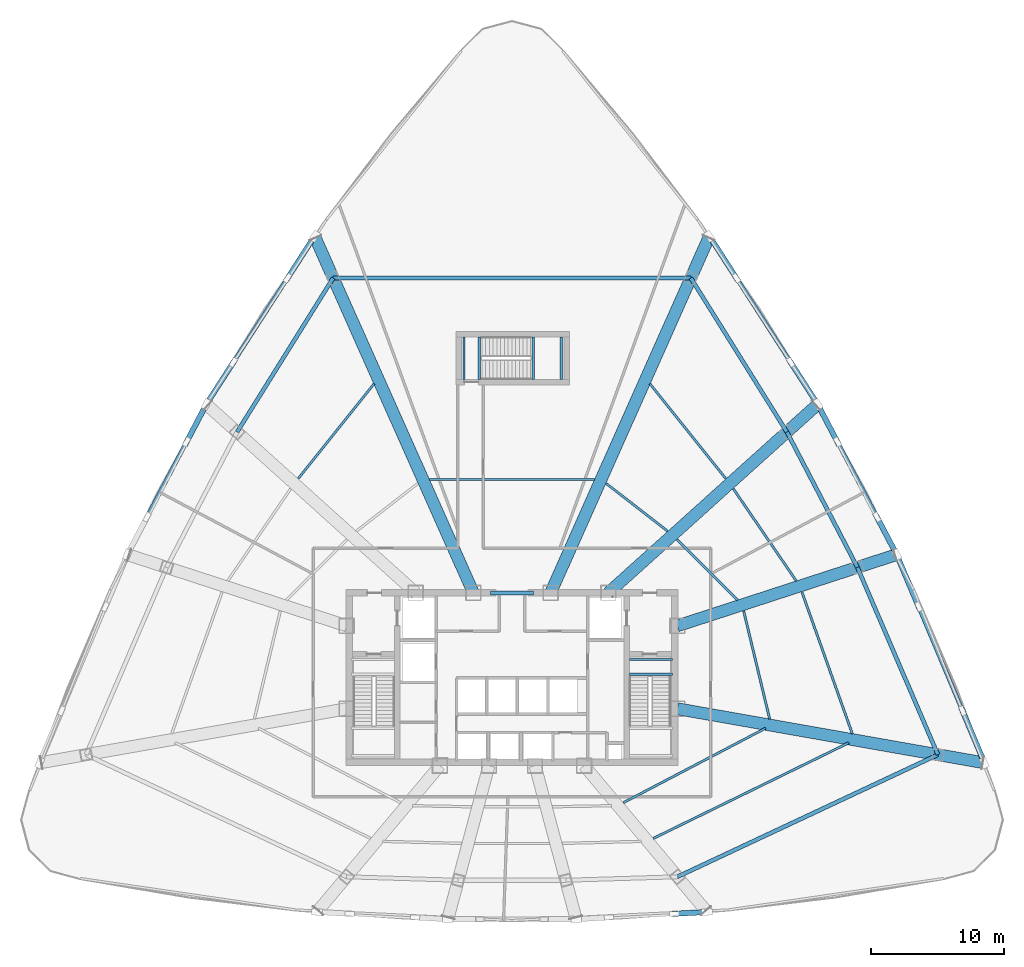
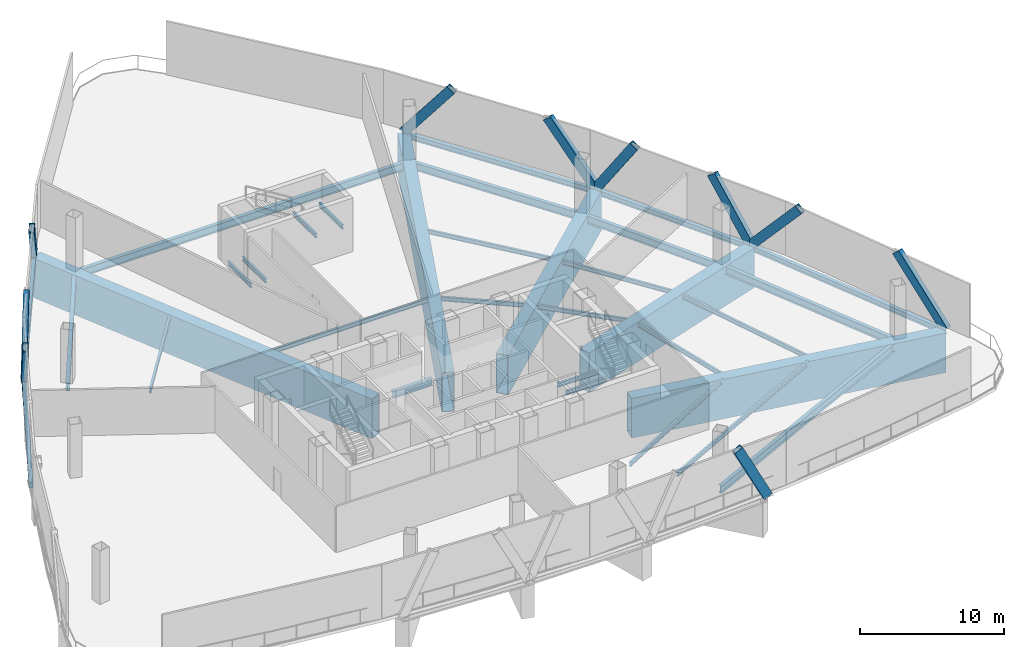
# One storey, part 2 of 14: 33 beams, 10 members.
"""IFC4 building model written with IfcOpenShell, lengths in metres."""

import ifcopenshell
import ifcopenshell.guid

model = None  # the IFC model being written
_history = None  # IfcOwnerHistory: only IFC2X3 demands one
_inside = {}  # id of a spatial element -> (the spatial element, [elements in it])
_under = {}  # id of a project, library or spatial element -> (it, [spatial elements below it])
_declared = {}  # id of a project -> (the project, [libraries it declares])
_typed = {}  # id of a type object -> (the type object, [elements of that type])
_made_of = {}  # id of a material, layer set ... -> (it, [elements and type objects made of it])


def new_model(schema):
    """Start an empty IFC model of exactly this schema.

    Asked for "IFC4X3", IfcOpenShell would pick the latest addendum, in which some entities
    have other attributes; the version numbers below select the first issue.
    IFC2X3 requires an IfcOwnerHistory on every rooted entity: one is made here for all.
    """
    global model, _history
    if schema == "IFC4X3":
        model = ifcopenshell.file(schema_version=(4, 3, 0, 0))
    else:
        model = ifcopenshell.file(schema=schema)
    _inside.clear()
    _under.clear()
    _declared.clear()
    _typed.clear()
    _made_of.clear()
    _history = None
    if model.schema == "IFC2X3":
        org = make("IfcOrganization", Name="unknown")
        user = make(
            "IfcPersonAndOrganization",
            ThePerson=make("IfcPerson", FamilyName="unknown"),
            TheOrganization=org,
        )
        app = make(
            "IfcApplication",
            ApplicationDeveloper=org,
            Version="unknown",
            ApplicationFullName="unknown",
            ApplicationIdentifier="unknown",
        )
        _history = make(
            "IfcOwnerHistory",
            OwningUser=user,
            OwningApplication=app,
            ChangeAction="ADDED",
            CreationDate=0,
        )
    return model


def make(cls, **values):
    """One entity of the class cls with the attributes given. An attribute that is None is left unset."""
    return model.create_entity(
        cls, **{name: value for name, value in values.items() if value is not None}
    )


def rooted(cls, **values):
    """An entity with a GlobalId (a new one), such as an element, a storey or a relation."""
    return make(cls, GlobalId=ifcopenshell.guid.new(), OwnerHistory=_history, **values)


def si_unit(unit_type, name, prefix=None):
    """IfcSIUnit, for example si_unit("LENGTHUNIT", "METRE", prefix="MILLI")."""
    return make("IfcSIUnit", UnitType=unit_type, Prefix=prefix, Name=name)


def assignment(units):
    """IfcUnitAssignment: the units of a project."""
    return None if units is None else make("IfcUnitAssignment", Units=units)


def point(xyz):
    """IfcCartesianPoint."""
    return None if xyz is None else make("IfcCartesianPoint", Coordinates=xyz)


def direction(xyz):
    """IfcDirection."""
    return None if xyz is None else make("IfcDirection", DirectionRatios=xyz)


def frame(location, z_axis=None, x_axis=None):
    """IfcAxis2Placement3D, a coordinate frame: its origin and axes. An axis left out is left unset."""
    return make(
        "IfcAxis2Placement3D",
        Location=point(location),
        Axis=direction(z_axis),
        RefDirection=direction(x_axis),
    )


def frame_2d(location, x_axis=None):
    """IfcAxis2Placement2D, a coordinate frame in the plane: its origin and x axis."""
    return make(
        "IfcAxis2Placement2D", Location=point(location), RefDirection=direction(x_axis)
    )


def origin():
    """The frame at (0, 0, 0) with its axes left unset."""
    return frame((0.0, 0.0, 0.0))


def origin_2d():
    """The frame at (0, 0) in the plane with its x axis left unset."""
    return frame_2d((0.0, 0.0))


def place(relative_to, where):
    """IfcLocalPlacement: puts the frame where relative to a parent placement (None: the world)."""
    return make(
        "IfcLocalPlacement", PlacementRelTo=relative_to, RelativePlacement=where
    )


def context(
    kind, dimensions, precision=None, world=None, true_north=None, identifier=None
):
    """IfcGeometricRepresentationContext, for example the 3D "Model" context."""
    return make(
        "IfcGeometricRepresentationContext",
        ContextIdentifier=identifier,
        ContextType=kind,
        CoordinateSpaceDimension=dimensions,
        Precision=precision,
        WorldCoordinateSystem=world,
        TrueNorth=true_north,
    )


def subcontext(parent, identifier, kind, view, scale=None):
    """IfcGeometricRepresentationSubContext, for example "Body" below "Model"."""
    return make(
        "IfcGeometricRepresentationSubContext",
        ContextIdentifier=identifier,
        ContextType=kind,
        ParentContext=parent,
        TargetScale=scale,
        TargetView=view,
    )


def project(units=None, contexts=None):
    """IfcProject with its units and contexts."""
    return rooted(
        "IfcProject",
        Name="project",
        RepresentationContexts=contexts,
        UnitsInContext=assignment(units),
    )


def spatial(cls, under=None, at=None, **own):
    """A site, building, storey or space (cls), placed at a placement, below another one or the project."""
    s = rooted(cls, ObjectPlacement=at, **own)
    if under is not None:
        _under.setdefault(under.id(), (under, []))[1].append(s)
    return s


def profile(cls, at=None, kind="AREA", **sizes):
    """A parametric profile (cls). Its sizes go by their IFC names, for example OverallWidth=200.0."""
    return make(cls, ProfileType=kind, Position=at, **sizes)


def hollow_rectangle(**sizes):
    """IfcRectangleHollowProfileDef."""
    return profile("IfcRectangleHollowProfileDef", **sizes)


def i_section(**sizes):
    """IfcIShapeProfileDef."""
    return profile("IfcIShapeProfileDef", **sizes)


def extrude(swept, where, along, depth):
    """IfcExtrudedAreaSolid: the profile swept, set in the frame where, extruded along a direction by depth."""
    return make(
        "IfcExtrudedAreaSolid",
        SweptArea=swept,
        Position=where,
        ExtrudedDirection=direction(along),
        Depth=depth,
    )


def shape(context_of_items, identifier, shape_type, items):
    """IfcShapeRepresentation: the items that make up one representation, for example the "Body"."""
    return make(
        "IfcShapeRepresentation",
        ContextOfItems=context_of_items,
        RepresentationIdentifier=identifier,
        RepresentationType=shape_type,
        Items=items,
    )


def source(mapping_origin, context_of_items, identifier, shape_type, items):
    """IfcRepresentationMap: a shape defined once, which mapped items show again and again."""
    return make(
        "IfcRepresentationMap",
        MappingOrigin=mapping_origin,
        MappedRepresentation=shape(context_of_items, identifier, shape_type, items),
    )


def transform(
    local_origin,
    x_axis=None,
    y_axis=None,
    z_axis=None,
    scale=None,
    scale2=None,
    scale3=None,
    uniform=True,
):
    """IfcCartesianTransformationOperator3D, or its non-uniform kind. x_axis, y_axis, z_axis: its Axis1, 2, 3."""
    if uniform:
        return make(
            "IfcCartesianTransformationOperator3D",
            Axis1=direction(x_axis),
            Axis2=direction(y_axis),
            LocalOrigin=point(local_origin),
            Scale=scale,
            Axis3=direction(z_axis),
        )
    return make(
        "IfcCartesianTransformationOperator3DnonUniform",
        Axis1=direction(x_axis),
        Axis2=direction(y_axis),
        LocalOrigin=point(local_origin),
        Scale=scale,
        Axis3=direction(z_axis),
        Scale2=scale2,
        Scale3=scale3,
    )


def mapped(mapping_source, mapping_target):
    """IfcMappedItem: shows the shape of a source again, moved by a transform."""
    return make(
        "IfcMappedItem", MappingSource=mapping_source, MappingTarget=mapping_target
    )


def material(Name=None, Category=None):
    """IfcMaterial."""
    return make("IfcMaterial", Name=Name, Category=Category)


def material_profile(
    of_material, cross_section, Name=None, Category=None, Priority=None
):
    """IfcMaterialProfile: a cross section and its material."""
    return make(
        "IfcMaterialProfile",
        Name=Name,
        Material=of_material,
        Profile=cross_section,
        Priority=Priority,
        Category=Category,
    )


def profile_set(profiles, Name=None, composite=None):
    """IfcMaterialProfileSet."""
    return make(
        "IfcMaterialProfileSet",
        Name=Name,
        MaterialProfiles=profiles,
        CompositeProfile=composite,
    )


def made_of(thing, what):
    """Note that an element or type object is made of a material, layer set ...; save() writes the relation."""
    if what is not None:
        _made_of.setdefault(what.id(), (what, []))[1].append(thing)
    return thing


def type_object(cls, material=None, **own):
    """A type object (cls), such as IfcWallType, which elements share."""
    return made_of(rooted(cls, **own), material)


def element(
    cls,
    number,
    at=None,
    inside=None,
    cuts=None,
    type_object=None,
    material=None,
    context=None,
    identifier="Body",
    shape_type=None,
    held_by="IfcProductDefinitionShape",
    body=None,
    shapes=None,
    **own,
):
    """One element of the class cls, such as IfcWall. Its Tag is "e" and its number.

    at: its placement. inside: the storey or other place that contains it. cuts: it is an
    opening in that element (IfcRelVoidsElement). A single representation is given by context,
    identifier, shape_type and body (its items); several are given by shapes. held_by: the class
    of the entity that holds the representations. save() writes the other relations.
    """
    e = rooted(cls, Tag="e%d" % number, ObjectPlacement=at, **own)
    if body is not None:
        shapes = [shape(context, identifier, shape_type, body)]
    if shapes is not None:
        e.Representation = make(held_by, Representations=shapes)
    if inside is not None:
        _inside.setdefault(inside.id(), (inside, []))[1].append(e)
    if cuts is not None:
        rooted(
            "IfcRelVoidsElement", RelatingBuildingElement=cuts, RelatedOpeningElement=e
        )
    if type_object is not None:
        _typed.setdefault(type_object.id(), (type_object, []))[1].append(e)
    return made_of(e, material)


def aggregate(whole, parts):
    """IfcRelAggregates: a whole, such as a stair, and the parts it consists of."""
    return rooted("IfcRelAggregates", RelatingObject=whole, RelatedObjects=parts)


def save(model, path):
    """Write the relations noted so far, then the file.

    IfcRelAggregates (storeys below a building ...), IfcRelContainedInSpatialStructure (elements
    in a storey), IfcRelDefinesByType, IfcRelAssociatesMaterial and IfcRelDeclares: one each for
    every whole, place, type object, material and project.
    """
    for whole, parts in _under.values():
        aggregate(whole, parts)
    for where, things in _inside.values():
        rooted(
            "IfcRelContainedInSpatialStructure",
            RelatedElements=things,
            RelatingStructure=where,
        )
    for kind, things in _typed.values():
        rooted("IfcRelDefinesByType", RelatedObjects=things, RelatingType=kind)
    for what, things in _made_of.values():
        rooted("IfcRelAssociatesMaterial", RelatedObjects=things, RelatingMaterial=what)
    for by, libraries in _declared.values():
        rooted("IfcRelDeclares", RelatingContext=by, RelatedDefinitions=libraries)
    model.write(path)


model = new_model("IFC4")

# Units and contexts
model_context = context("Model", 3, precision=1e-05, world=origin(), true_north=direction((0.0, 1.0)))
body_context = subcontext(model_context, "Body", "Model", "MODEL_VIEW")
ifc_project = project(units=[si_unit("LENGTHUNIT", "METRE"), si_unit("AREAUNIT", "SQUARE_METRE"), si_unit("VOLUMEUNIT", "CUBIC_METRE"), si_unit("PLANEANGLEUNIT", "RADIAN"), si_unit("MASSUNIT", "GRAM", prefix="KILO"), si_unit("THERMODYNAMICTEMPERATUREUNIT", "KELVIN"), si_unit("POWERUNIT", "WATT")], contexts=[model_context])

# Site, building, storey
site_placement = place(None, origin())
site = spatial("IfcSite", under=ifc_project, at=site_placement, CompositionType="ELEMENT")
building_placement = place(site_placement, origin())
building = spatial("IfcBuilding", under=site, at=building_placement, Name="Yunzhuo Pagoda Commons", CompositionType="ELEMENT")
storey_placement = place(building_placement, frame((0.0, 0.0, 224.81005859375)))
storey = spatial("IfcBuildingStorey", under=building, at=storey_placement, Name="L56", CompositionType="ELEMENT", Elevation=224.81005859375)

# Beams
ifc_material_1 = material(Name="Structural steel Q355B", Category="steel")
ifc_material_profile_1 = material_profile(ifc_material_1, i_section(OverallWidth=0.175048828125, OverallDepth=0.35009765625, WebThickness=0.007080078125, FlangeThickness=0.010986328125, at=origin_2d()), Name="Structural steel Q355B")
ifc_profile_set_1 = profile_set([ifc_material_profile_1], Name="Structural steel Q355B")
beam_type_1 = type_object("IfcBeamType", Name="B-JS2 Joist HN 350x175x7x11", PredefinedType="JOIST", material=ifc_profile_set_1)
shared_shape_1 = source(origin(), body_context, "Body", "SweptSolid", [
    extrude(i_section(OverallWidth=0.175048828125, OverallDepth=0.35009765625, WebThickness=0.007080078125, FlangeThickness=0.010986328125, at=origin_2d()), origin(), (0.0, 0.0, 1.0), 3.25),
])
for number, where, z_axis, x_axis, name in (
    (1, (56.800048828125, 34.10009765625, -0.375), (1.0, 0.0, 0.0), (0.0, 1.0, 0.0), "L56 ST2 landing support beam 160A"),
    (2, (56.800048828125, 35.199951171875, -0.375), (1.0, 0.0, 0.0), (0.0, 1.0, 0.0), "L56 ST2 landing support beam 160B"),
):
    element("IfcBeam", number, at=place(storey_placement, frame(where, z_axis=z_axis, x_axis=x_axis)), inside=storey, type_object=beam_type_1, Name=name, PredefinedType="JOIST", context=body_context, shape_type="MappedRepresentation", body=[
        mapped(shared_shape_1, transform((0.0, 0.0, 0.0), scale=1.0)),
    ])
shared_shape_2 = source(origin(), body_context, "Body", "SweptSolid", [
    extrude(i_section(OverallWidth=0.175048828125, OverallDepth=0.35009765625, WebThickness=0.007080078125, FlangeThickness=0.010986328125, at=origin_2d()), origin(), (0.0, 0.0, 1.0), 3.199951171875),
])
for number, where, z_axis, x_axis, name in (
    (3, (49.590087890625, 56.199951171875, 2.02490234375), (0.0, 1.0, 0.0), (-1.0, 0.0, 0.0), "L56 ST3 landing support beam 62A"),
    (4, (51.699951171875, 56.199951171875, 2.02490234375), (0.0, 1.0, 0.0), (-1.0, 0.0, 0.0), "L56 ST3 landing support beam 62B"),
    (5, (44.39990234375, 56.199951171875, -0.375), (0.0, 1.0, 0.0), (-1.0, 0.0, 0.0), "L56 ST3 landing support beam 130A"),
    (6, (45.550048828125, 56.199951171875, -0.375), (0.0, 1.0, 0.0), (-1.0, 0.0, 0.0), "L56 ST3 landing support beam 130B"),
):
    element("IfcBeam", number, at=place(storey_placement, frame(where, z_axis=z_axis, x_axis=x_axis)), inside=storey, type_object=beam_type_1, Name=name, PredefinedType="JOIST", context=body_context, shape_type="MappedRepresentation", body=[
        mapped(shared_shape_2, transform((0.0, 0.0, 0.0), scale=1.0)),
    ])
ifc_material_2 = material(Name="Structural steel Q420B", Category="steel")
ifc_material_profile_2 = material_profile(ifc_material_2, i_section(OverallWidth=0.300048828125, OverallDepth=0.587890625, WebThickness=0.011962890625, FlangeThickness=0.02001953125, at=origin_2d()), Name="Structural steel Q420B")
ifc_profile_set_2 = profile_set([ifc_material_profile_2], Name="Structural steel Q420B")
beam_type_2 = type_object("IfcBeamType", Name="B-CPL Beam HM 588x300x12x20", PredefinedType="BEAM", material=ifc_profile_set_2)
shared_shape_3 = source(origin(), body_context, "Body", "SweptSolid", [
    extrude(i_section(OverallWidth=0.300048828125, OverallDepth=0.587890625, WebThickness=0.011962890625, FlangeThickness=0.02001953125, at=origin_2d()), origin(), (0.0, 0.0, 1.0), 3.2001953125),
])
beam_1_placement = place(storey_placement, frame((46.39990234375, 40.199951171875, -0.573974609375), z_axis=(1.0, 0.0, 0.0), x_axis=(0.0, 1.0, 0.0)))
element("IfcBeam", 7, at=beam_1_placement, inside=storey, type_object=beam_type_2, Name="L56 core coupling girder", PredefinedType="BEAM", context=body_context, shape_type="MappedRepresentation", body=[
    mapped(shared_shape_3, transform((0.0, 0.0, 0.0), scale=1.0)),
])
ifc_material_profile_3 = material_profile(ifc_material_2, hollow_rectangle(XDim=0.89990234375, YDim=3.35009765625, WallThickness=0.048095703125, at=origin_2d()), Name="Structural steel Q420B")
ifc_profile_set_3 = profile_set([ifc_material_profile_3], Name="Structural steel Q420B")
beam_type_3 = type_object("IfcBeamType", Name="BTR-2 Beam BOX 3350x900x48", PredefinedType="BEAM", material=ifc_profile_set_3)
shared_shape_4 = source(origin(), body_context, "Body", "SweptSolid", [
    extrude(hollow_rectangle(XDim=0.89990234375, YDim=3.35009765625, WallThickness=0.048095703125, at=origin_2d()), origin(), (0.0, 0.0, 1.0), 23.22265625),
])
beam_2_placement = place(storey_placement, frame((83.269775390625, 27.48095703125, -1.954833984375), z_axis=(-0.984808525924, 0.173643794211, 0.0), x_axis=(-0.173643794211, -0.984808525924, 0.0)))
element("IfcBeam", 8, at=beam_2_placement, inside=storey, type_object=beam_type_3, Name="BTR-2 L56 collinear transfer girder F2C1", PredefinedType="BEAM", context=body_context, shape_type="MappedRepresentation", body=[
    mapped(shared_shape_4, transform((0.0, 0.0, 0.0), scale=1.0)),
])
shared_shape_5 = source(origin(), body_context, "Body", "SweptSolid", [
    extrude(hollow_rectangle(XDim=0.89990234375, YDim=3.35009765625, WallThickness=0.048095703125, at=origin_2d()), origin(), (0.0, 0.0, 1.0), 17.135986328125),
])
beam_3_placement = place(storey_placement, frame((76.697265625, 43.024169921875, -1.954833984375), z_axis=(-0.951059402888, -0.309008110214, 0.0), x_axis=(0.309008110214, -0.951059402888, 0.0)))
element("IfcBeam", 9, at=beam_3_placement, inside=storey, type_object=beam_type_3, Name="BTR-2 L56 collinear transfer girder F2C2", PredefinedType="BEAM", context=body_context, shape_type="MappedRepresentation", body=[
    mapped(shared_shape_5, transform((0.0, 0.0, 0.0), scale=1.0)),
])
shared_shape_6 = source(origin(), body_context, "Body", "SweptSolid", [
    extrude(hollow_rectangle(XDim=0.89990234375, YDim=3.35009765625, WallThickness=0.048095703125, at=origin_2d()), origin(), (0.0, 0.0, 1.0), 20.974609375),
])
beam_4_placement = place(storey_placement, frame((70.80615234375, 54.23486328125, -1.954833984375), z_axis=(-0.743140751916, -0.669135130479, 0.0), x_axis=(0.669135130479, -0.743140751916, 0.0)))
element("IfcBeam", 10, at=beam_4_placement, inside=storey, type_object=beam_type_3, Name="BTR-2 L56 collinear transfer girder F2C3", PredefinedType="BEAM", context=body_context, shape_type="MappedRepresentation", body=[
    mapped(shared_shape_6, transform((0.0, 0.0, 0.0), scale=1.0)),
])
shared_shape_7 = source(origin(), body_context, "Body", "SweptSolid", [
    extrude(hollow_rectangle(XDim=0.89990234375, YDim=3.35009765625, WallThickness=0.048095703125, at=origin_2d()), origin(), (0.0, 0.0, 1.0), 29.12451171875),
])
for number, where, z_axis, x_axis, name in (
    (11, (62.739990234375, 66.806640625, -1.954833984375), (-0.406733373538, -0.913546913328, 0.0), (0.913546913328, -0.406733373538, 0.0), "BTR-2 L56 collinear transfer girder F2C4"),
    (12, (33.260009765625, 66.806640625, -1.954833984375), (0.406733373538, -0.913546913328, 0.0), (0.913546913328, 0.406733373538, 0.0), "BTR-2 L56 collinear transfer girder F3C1"),
):
    element("IfcBeam", number, at=place(storey_placement, frame(where, z_axis=z_axis, x_axis=x_axis)), inside=storey, type_object=beam_type_3, Name=name, PredefinedType="BEAM", context=body_context, shape_type="MappedRepresentation", body=[
        mapped(shared_shape_7, transform((0.0, 0.0, 0.0), scale=1.0)),
    ])
ifc_material_profile_4 = material_profile(ifc_material_1, i_section(OverallWidth=0.300048828125, OverallDepth=0.43994140625, WebThickness=0.010986328125, FlangeThickness=0.01806640625, at=origin_2d()), Name="Structural steel Q355B")
ifc_profile_set_4 = profile_set([ifc_material_profile_4], Name="Structural steel Q355B")
beam_type_4 = type_object("IfcBeamType", Name="B-SP2 Beam HM 440x300x11x18", PredefinedType="BEAM", material=ifc_profile_set_4)
shared_shape_8 = source(origin(), body_context, "Body", "SweptSolid", [
    extrude(i_section(OverallWidth=0.300048828125, OverallDepth=0.43994140625, WebThickness=0.010986328125, FlangeThickness=0.01806640625, at=origin_2d()), origin(), (0.0, 0.0, 1.0), 16.947021484375),
])
beam_5_placement = place(storey_placement, frame((83.422607421875, 27.4541015625, -0.5), z_axis=(-0.388172279694, 0.921586827856, 0.0), x_axis=(-0.921586827856, -0.388172279694, 0.0)))
element("IfcBeam", 13, at=beam_5_placement, inside=storey, type_object=beam_type_4, Name="L56 facade edge spandrel beam F2.1", PredefinedType="BEAM", context=body_context, shape_type="MappedRepresentation", body=[
    mapped(shared_shape_8, transform((0.0, 0.0, 0.0), scale=1.0)),
])
shared_shape_9 = source(origin(), body_context, "Body", "SweptSolid", [
    extrude(i_section(OverallWidth=0.300048828125, OverallDepth=0.43994140625, WebThickness=0.010986328125, FlangeThickness=0.01806640625, at=origin_2d()), origin(), (0.0, 0.0, 1.0), 12.72802734375),
])
for number, where, z_axis, x_axis, name in (
    (14, (76.84423828125, 43.072265625, -0.5), (-0.465335297966, 0.88513448722, 0.0), (-0.88513448722, -0.465335297966, 0.0), "L56 facade edge spandrel beam F2.2"),
    (15, (25.07861328125, 54.33837890625, -0.5), (-0.465335297966, -0.88513448722, 0.0), (0.88513448722, -0.465335297966, 0.0), "L56 facade edge spandrel beam F3.2"),
):
    element("IfcBeam", number, at=place(storey_placement, frame(where, z_axis=z_axis, x_axis=x_axis)), inside=storey, type_object=beam_type_4, Name=name, PredefinedType="BEAM", context=body_context, shape_type="MappedRepresentation", body=[
        mapped(shared_shape_9, transform((0.0, 0.0, 0.0), scale=1.0)),
    ])
shared_shape_10 = source(origin(), body_context, "Body", "SweptSolid", [
    extrude(i_section(OverallWidth=0.300048828125, OverallDepth=0.43994140625, WebThickness=0.010986328125, FlangeThickness=0.01806640625, at=origin_2d()), origin(), (0.0, 0.0, 1.0), 14.996826171875),
])
beam_6_placement = place(storey_placement, frame((70.92138671875, 54.33837890625, -0.5), z_axis=(-0.541322723021, 0.840814908015, 0.0), x_axis=(-0.840814908015, -0.541322723021, 0.0)))
element("IfcBeam", 16, at=beam_6_placement, inside=storey, type_object=beam_type_4, Name="L56 facade edge spandrel beam F2.3", PredefinedType="BEAM", context=body_context, shape_type="MappedRepresentation", body=[
    mapped(shared_shape_10, transform((0.0, 0.0, 0.0), scale=1.0)),
])
shared_shape_11 = source(origin(), body_context, "Body", "SweptSolid", [
    extrude(i_section(OverallWidth=0.300048828125, OverallDepth=0.43994140625, WebThickness=0.010986328125, FlangeThickness=0.01806640625, at=origin_2d()), origin(), (0.0, 0.0, 1.0), 14.9970703125),
])
beam_7_placement = place(storey_placement, frame((33.197265625, 66.947998046875, -0.5), z_axis=(-0.541345740503, -0.840800088748, 0.0), x_axis=(0.840800088748, -0.541345740503, 0.0)))
element("IfcBeam", 17, at=beam_7_placement, inside=storey, type_object=beam_type_4, Name="L56 facade edge spandrel beam F3.1", PredefinedType="BEAM", context=body_context, shape_type="MappedRepresentation", body=[
    mapped(shared_shape_11, transform((0.0, 0.0, 0.0), scale=1.0)),
])
ifc_material_profile_5 = material_profile(ifc_material_1, i_section(OverallWidth=0.300048828125, OverallDepth=0.64990234375, WebThickness=0.012939453125, FlangeThickness=0.02197265625, at=origin_2d()), Name="Structural steel Q355B")
ifc_profile_set_5 = profile_set([ifc_material_profile_5], Name="Structural steel Q355B")
beam_type_5 = type_object("IfcBeamType", Name="B-RG2 Beam HN 650x300x13x22", PredefinedType="BEAM", material=ifc_profile_set_5)
shared_shape_12 = source(origin(), body_context, "Body", "SweptSolid", [
    extrude(i_section(OverallWidth=0.300048828125, OverallDepth=0.64990234375, WebThickness=0.012939453125, FlangeThickness=0.02197265625, at=origin_2d()), origin(), (0.0, 0.0, 1.0), 21.56689453125),
])
beam_8_placement = place(storey_placement, frame((60.406982421875, 18.913818359375, -0.60498046875), z_axis=(0.905424265365, 0.424507832304, 0.0), x_axis=(-0.424507832304, 0.905424265365, 0.0)))
element("IfcBeam", 18, at=beam_8_placement, inside=storey, type_object=beam_type_5, Name="L56 column-ring beam 4", PredefinedType="BEAM", context=body_context, shape_type="MappedRepresentation", body=[
    mapped(shared_shape_12, transform((0.0, 0.0, 0.0), scale=1.0)),
])
shared_shape_13 = source(origin(), body_context, "Body", "SweptSolid", [
    extrude(i_section(OverallWidth=0.175048828125, OverallDepth=0.35009765625, WebThickness=0.007080078125, FlangeThickness=0.010986328125, at=origin_2d()), origin(), (0.0, 0.0, 1.0), 12.0302734375),
])
beam_9_placement = place(storey_placement, frame((56.352783203125, 24.47021484375, -0.454833984375), z_axis=(0.885838287701, 0.463994103457, 0.0), x_axis=(-0.463994103457, 0.885838287701, 0.0)))
element("IfcBeam", 19, at=beam_9_placement, inside=storey, type_object=beam_type_1, Name="L56 composite ring joist 1.4", PredefinedType="JOIST", context=body_context, shape_type="MappedRepresentation", body=[
    mapped(shared_shape_13, transform((0.0, 0.0, 0.0), scale=1.0)),
])
shared_shape_14 = source(origin(), body_context, "Body", "SweptSolid", [
    extrude(i_section(OverallWidth=0.175048828125, OverallDepth=0.35009765625, WebThickness=0.007080078125, FlangeThickness=0.010986328125, at=origin_2d()), origin(), (0.0, 0.0, 1.0), 16.317626953125),
])
beam_10_placement = place(storey_placement, frame((58.59716796875, 21.791015625, -0.454833984375), z_axis=(0.898262843008, 0.439458604275, 0.0), x_axis=(-0.439458604275, 0.898262843008, 0.0)))
element("IfcBeam", 20, at=beam_10_placement, inside=storey, type_object=beam_type_1, Name="L56 composite ring joist 2.4", PredefinedType="JOIST", context=body_context, shape_type="MappedRepresentation", body=[
    mapped(shared_shape_14, transform((0.0, 0.0, 0.0), scale=1.0)),
])
shared_shape_15 = source(origin(), body_context, "Body", "SweptSolid", [
    extrude(i_section(OverallWidth=0.300048828125, OverallDepth=0.64990234375, WebThickness=0.012939453125, FlangeThickness=0.02197265625, at=origin_2d()), origin(), (0.0, 0.0, 1.0), 15.28759765625),
])
beam_11_placement = place(storey_placement, frame((79.93408203125, 28.069091796875, -0.60498046875), z_axis=(-0.394788372839, 0.918772083093, 0.0), x_axis=(-0.918772083093, -0.394788372839, 0.0)))
element("IfcBeam", 21, at=beam_11_placement, inside=storey, type_object=beam_type_5, Name="L56 column-ring beam 5", PredefinedType="BEAM", context=body_context, shape_type="MappedRepresentation", body=[
    mapped(shared_shape_15, transform((0.0, 0.0, 0.0), scale=1.0)),
])
shared_shape_16 = source(origin(), body_context, "Body", "SweptSolid", [
    extrude(i_section(OverallWidth=0.175048828125, OverallDepth=0.35009765625, WebThickness=0.007080078125, FlangeThickness=0.010986328125, at=origin_2d()), origin(), (0.0, 0.0, 1.0), 8.337890625),
])
beam_12_placement = place(storey_placement, frame((67.32080078125, 30.7373046875, -0.454833984375), z_axis=(-0.233838055104, 0.972275559697, 0.0), x_axis=(-0.972275559697, -0.233838055104, 0.0)))
element("IfcBeam", 22, at=beam_12_placement, inside=storey, type_object=beam_type_1, Name="L56 composite ring joist 1.5", PredefinedType="JOIST", context=body_context, shape_type="MappedRepresentation", body=[
    mapped(shared_shape_16, transform((0.0, 0.0, 0.0), scale=1.0)),
])
shared_shape_17 = source(origin(), body_context, "Body", "SweptSolid", [
    extrude(i_section(OverallWidth=0.175048828125, OverallDepth=0.35009765625, WebThickness=0.007080078125, FlangeThickness=0.010986328125, at=origin_2d()), origin(), (0.0, 0.0, 1.0), 11.2939453125),
])
beam_13_placement = place(storey_placement, frame((73.523193359375, 29.620849609375, -0.454833984375), z_axis=(-0.335062548546, 0.942195886513, 0.0), x_axis=(-0.942195886513, -0.335062548546, 0.0)))
element("IfcBeam", 23, at=beam_13_placement, inside=storey, type_object=beam_type_1, Name="L56 composite ring joist 2.5", PredefinedType="JOIST", context=body_context, shape_type="MappedRepresentation", body=[
    mapped(shared_shape_17, transform((0.0, 0.0, 0.0), scale=1.0)),
])
shared_shape_18 = source(origin(), body_context, "Body", "SweptSolid", [
    extrude(i_section(OverallWidth=0.300048828125, OverallDepth=0.64990234375, WebThickness=0.012939453125, FlangeThickness=0.02197265625, at=origin_2d()), origin(), (0.0, 0.0, 1.0), 11.43896484375),
])
beam_14_placement = place(storey_placement, frame((73.898681640625, 42.114990234375, -0.60498046875), z_axis=(-0.462175736513, 0.886788356136, 0.0), x_axis=(-0.886788356136, -0.462175736513, 0.0)))
element("IfcBeam", 24, at=beam_14_placement, inside=storey, type_object=beam_type_5, Name="L56 column-ring beam 6", PredefinedType="BEAM", context=body_context, shape_type="MappedRepresentation", body=[
    mapped(shared_shape_18, transform((0.0, 0.0, 0.0), scale=1.0)),
])
shared_shape_19 = source(origin(), body_context, "Body", "SweptSolid", [
    extrude(i_section(OverallWidth=0.175048828125, OverallDepth=0.35009765625, WebThickness=0.007080078125, FlangeThickness=0.010986328125, at=origin_2d()), origin(), (0.0, 0.0, 1.0), 6.43701171875),
])
beam_15_placement = place(storey_placement, frame((64.922607421875, 39.645751953125, -0.454833984375), z_axis=(-0.706138961984, 0.708073277542, 0.0), x_axis=(-0.708073277542, -0.706138961984, 0.0)))
element("IfcBeam", 25, at=beam_15_placement, inside=storey, type_object=beam_type_1, Name="L56 composite ring joist 1.6", PredefinedType="JOIST", context=body_context, shape_type="MappedRepresentation", body=[
    mapped(shared_shape_19, transform((0.0, 0.0, 0.0), scale=1.0)),
])
shared_shape_20 = source(origin(), body_context, "Body", "SweptSolid", [
    extrude(i_section(OverallWidth=0.175048828125, OverallDepth=0.35009765625, WebThickness=0.007080078125, FlangeThickness=0.010986328125, at=origin_2d()), origin(), (0.0, 0.0, 1.0), 8.35791015625),
])
beam_16_placement = place(storey_placement, frame((69.31005859375, 41.105224609375, -0.454833984375), z_axis=(-0.564115166867, 0.825696117534, 0.0), x_axis=(-0.825696117534, -0.564115166867, 0.0)))
element("IfcBeam", 26, at=beam_16_placement, inside=storey, type_object=beam_type_1, Name="L56 composite ring joist 2.6", PredefinedType="JOIST", context=body_context, shape_type="MappedRepresentation", body=[
    mapped(shared_shape_20, transform((0.0, 0.0, 0.0), scale=1.0)),
])
shared_shape_21 = source(origin(), body_context, "Body", "SweptSolid", [
    extrude(i_section(OverallWidth=0.300048828125, OverallDepth=0.64990234375, WebThickness=0.012939453125, FlangeThickness=0.02197265625, at=origin_2d()), origin(), (0.0, 0.0, 1.0), 13.615478515625),
])
for number, where, z_axis, x_axis, name in (
    (27, (68.61181640625, 52.259033203125, -0.60498046875), (-0.529178300485, 0.848510651846, 0.0), (-0.848510651846, -0.529178300485, 0.0), "L56 column-ring beam 7"),
    (28, (34.59326171875, 63.81201171875, -0.60498046875), (-0.529178300485, -0.848510651846, 0.0), (0.848510651846, -0.529178300485, 0.0), "L56 column-ring beam 9"),
):
    element("IfcBeam", number, at=place(storey_placement, frame(where, z_axis=z_axis, x_axis=x_axis)), inside=storey, type_object=beam_type_5, Name=name, PredefinedType="BEAM", context=body_context, shape_type="MappedRepresentation", body=[
        mapped(shared_shape_21, transform((0.0, 0.0, 0.0), scale=1.0)),
    ])
shared_shape_22 = source(origin(), body_context, "Body", "SweptSolid", [
    extrude(i_section(OverallWidth=0.175048828125, OverallDepth=0.35009765625, WebThickness=0.007080078125, FlangeThickness=0.010986328125, at=origin_2d()), origin(), (0.0, 0.0, 1.0), 5.83203125),
])
beam_17_placement = place(storey_placement, frame((59.66357421875, 44.83349609375, -0.454833984375), z_axis=(-0.790154014325, 0.61290834033, 0.0), x_axis=(-0.61290834033, -0.790154014325, 0.0)))
element("IfcBeam", 29, at=beam_17_placement, inside=storey, type_object=beam_type_1, Name="L56 composite ring joist 1.7", PredefinedType="JOIST", context=body_context, shape_type="MappedRepresentation", body=[
    mapped(shared_shape_22, transform((0.0, 0.0, 0.0), scale=1.0)),
])
shared_shape_23 = source(origin(), body_context, "Body", "SweptSolid", [
    extrude(i_section(OverallWidth=0.175048828125, OverallDepth=0.35009765625, WebThickness=0.007080078125, FlangeThickness=0.010986328125, at=origin_2d()), origin(), (0.0, 0.0, 1.0), 9.105712890625),
])
for number, where, z_axis, x_axis, name in (
    (30, (64.0283203125, 48.772705078125, -0.454833984375), (-0.624632920832, 0.780918506768, 0.0), (-0.780918506768, -0.624632920832, 0.0), "L56 composite ring joist 2.7"),
    (31, (37.659423828125, 55.883544921875, -0.454833984375), (-0.624632920832, -0.780918506768, 0.0), (0.780918506768, -0.624632920832, 0.0), "L56 composite ring joist 2.9"),
):
    element("IfcBeam", number, at=place(storey_placement, frame(where, z_axis=z_axis, x_axis=x_axis)), inside=storey, type_object=beam_type_1, Name=name, PredefinedType="JOIST", context=body_context, shape_type="MappedRepresentation", body=[
        mapped(shared_shape_23, transform((0.0, 0.0, 0.0), scale=1.0)),
    ])
shared_shape_24 = source(origin(), body_context, "Body", "SweptSolid", [
    extrude(i_section(OverallWidth=0.300048828125, OverallDepth=0.64990234375, WebThickness=0.012939453125, FlangeThickness=0.02197265625, at=origin_2d()), origin(), (0.0, 0.0, 1.0), 26.8134765625),
])
beam_18_placement = place(storey_placement, frame((61.40673828125, 63.81201171875, -0.60498046875), z_axis=(-1.0, 0.0, 0.0), x_axis=(0.0, -1.0, 0.0)))
element("IfcBeam", 32, at=beam_18_placement, inside=storey, type_object=beam_type_5, Name="L56 column-ring beam 8", PredefinedType="BEAM", context=body_context, shape_type="MappedRepresentation", body=[
    mapped(shared_shape_24, transform((0.0, 0.0, 0.0), scale=1.0)),
])
shared_shape_25 = source(origin(), body_context, "Body", "SweptSolid", [
    extrude(i_section(OverallWidth=0.175048828125, OverallDepth=0.35009765625, WebThickness=0.007080078125, FlangeThickness=0.010986328125, at=origin_2d()), origin(), (0.0, 0.0, 1.0), 12.4033203125),
])
beam_19_placement = place(storey_placement, frame((54.20166015625, 48.7001953125, -0.454833984375), z_axis=(-1.0, 0.0, 0.0), x_axis=(0.0, -1.0, 0.0)))
element("IfcBeam", 33, at=beam_19_placement, inside=storey, type_object=beam_type_1, Name="L56 composite ring joist 1.8", PredefinedType="JOIST", context=body_context, shape_type="MappedRepresentation", body=[
    mapped(shared_shape_25, transform((0.0, 0.0, 0.0), scale=1.0)),
])

# Members
ifc_material_profile_6 = material_profile(ifc_material_1, hollow_rectangle(XDim=0.39990234375, YDim=0.719970703125, WallThickness=0.02392578125, at=origin_2d()), Name="Structural steel Q355B")
ifc_profile_set_6 = profile_set([ifc_material_profile_6], Name="Structural steel Q355B")
member_type = type_object("IfcMemberType", Name="M-DL2 Brace BOX 720x400x24", PredefinedType="BRACE", material=ifc_profile_set_6)
shared_shape_26 = source(origin(), body_context, "Body", "SweptSolid", [
    extrude(hollow_rectangle(XDim=0.39990234375, YDim=0.719970703125, WallThickness=0.02392578125, at=origin_2d()), origin(), (0.0, 0.0, 1.0), 5.40966796875),
])
member_placement = place(storey_placement, frame((62.622802734375, 16.273681640625, -0.280029296875), z_axis=(-0.453290960449, -0.025002309049, 0.891011890895), x_axis=(0.05507359548, -0.998482297831, 0.0)))
element("IfcMember", 34, at=member_placement, inside=storey, type_object=member_type, Name="L56 facade diamond brace F1.3R", PredefinedType="BRACE", context=body_context, shape_type="MappedRepresentation", body=[
    mapped(shared_shape_26, transform((0.0, 0.0, 0.0), scale=1.0)),
])
shared_shape_27 = source(origin(), body_context, "Body", "SweptSolid", [
    extrude(hollow_rectangle(XDim=0.39990234375, YDim=0.719970703125, WallThickness=0.02392578125, at=origin_2d()), origin(), (0.0, 0.0, 1.0), 6.41748046875),
])
for number, where, z_axis, x_axis, name in (
    (35, (83.422607421875, 27.4541015625, -0.280029296875), (-0.25626142247, 0.608430660565, 0.751094011851), (-0.921591981361, -0.388160044172, 0.0), "L56 facade diamond brace F2.1L"),
    (36, (76.84423828125, 43.072265625, -0.280029296875), (0.256296967193, -0.608424728562, 0.751086688926), (0.921571366712, 0.388208985027, 0.0), "L56 facade diamond brace F2.1R"),
):
    element("IfcMember", number, at=place(storey_placement, frame(where, z_axis=z_axis, x_axis=x_axis)), inside=storey, type_object=member_type, Name=name, PredefinedType="BRACE", context=body_context, shape_type="MappedRepresentation", body=[
        mapped(shared_shape_27, transform((0.0, 0.0, 0.0), scale=1.0)),
    ])
shared_shape_28 = source(origin(), body_context, "Body", "SweptSolid", [
    extrude(hollow_rectangle(XDim=0.39990234375, YDim=0.719970703125, WallThickness=0.02392578125, at=origin_2d()), origin(), (0.0, 0.0, 1.0), 5.775634765625),
])
for number, where, z_axis, x_axis, name in (
    (37, (76.84423828125, 43.072265625, -0.280029296875), (-0.256373255371, 0.487637571963, 0.834555182322), (-0.885126179931, -0.465351099279, 0.0), "L56 facade diamond brace F2.2L"),
    (38, (70.92138671875, 54.33837890625, -0.280029296875), (0.256373255371, -0.487637571963, 0.834555182322), (0.885126179931, 0.465351099279, 0.0), "L56 facade diamond brace F2.2R"),
    (39, (25.07861328125, 54.33837890625, -0.280029296875), (-0.256373255371, -0.487637571963, 0.834555182322), (0.885126179931, -0.465351099279, 0.0), "L56 facade diamond brace F3.2L"),
):
    element("IfcMember", number, at=place(storey_placement, frame(where, z_axis=z_axis, x_axis=x_axis)), inside=storey, type_object=member_type, Name=name, PredefinedType="BRACE", context=body_context, shape_type="MappedRepresentation", body=[
        mapped(shared_shape_28, transform((0.0, 0.0, 0.0), scale=1.0)),
    ])
shared_shape_29 = source(origin(), body_context, "Body", "SweptSolid", [
    extrude(hollow_rectangle(XDim=0.39990234375, YDim=0.719970703125, WallThickness=0.02392578125, at=origin_2d()), origin(), (0.0, 0.0, 1.0), 6.106689453125),
])
for number, where, z_axis, x_axis, name in (
    (40, (70.92138671875, 54.33837890625, -0.280029296875), (-0.332350521314, 0.516256740254, 0.789317495767), (-0.840829218209, -0.541300494925, 0.0), "L56 facade diamond brace F2.3L"),
    (41, (25.07861328125, 54.33837890625, -0.280029296875), (0.332350521314, 0.516256740254, 0.789317495767), (-0.840829218209, 0.541300494925, 0.0), "L56 facade diamond brace F3.1R"),
):
    element("IfcMember", number, at=place(storey_placement, frame(where, z_axis=z_axis, x_axis=x_axis)), inside=storey, type_object=member_type, Name=name, PredefinedType="BRACE", context=body_context, shape_type="MappedRepresentation", body=[
        mapped(shared_shape_29, transform((0.0, 0.0, 0.0), scale=1.0)),
    ])
shared_shape_30 = source(origin(), body_context, "Body", "SweptSolid", [
    extrude(hollow_rectangle(XDim=0.39990234375, YDim=0.719970703125, WallThickness=0.02392578125, at=origin_2d()), origin(), (0.0, 0.0, 1.0), 6.1064453125),
])
for number, where, z_axis, x_axis, name in (
    (42, (62.80322265625, 66.947998046875, -0.280029296875), (0.332357380891, -0.516227415141, 0.789333786952), (0.840810137559, 0.541330132708, 0.0), "L56 facade diamond brace F2.3R"),
    (43, (33.197265625, 66.947998046875, -0.280029296875), (-0.332357380891, -0.516227415141, 0.789333786952), (0.840810137559, -0.541330132708, 0.0), "L56 facade diamond brace F3.1L"),
):
    element("IfcMember", number, at=place(storey_placement, frame(where, z_axis=z_axis, x_axis=x_axis)), inside=storey, type_object=member_type, Name=name, PredefinedType="BRACE", context=body_context, shape_type="MappedRepresentation", body=[
        mapped(shared_shape_30, transform((0.0, 0.0, 0.0), scale=1.0)),
    ])

save(model, "model.ifc")
